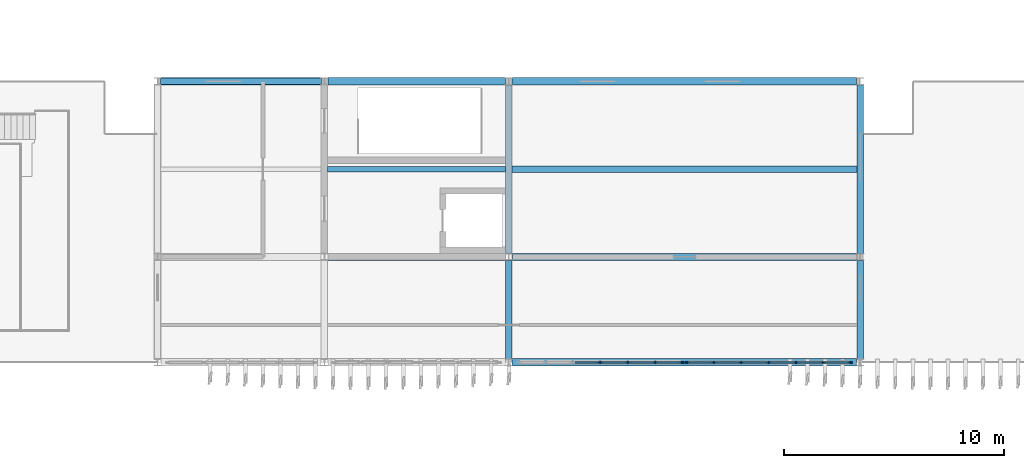
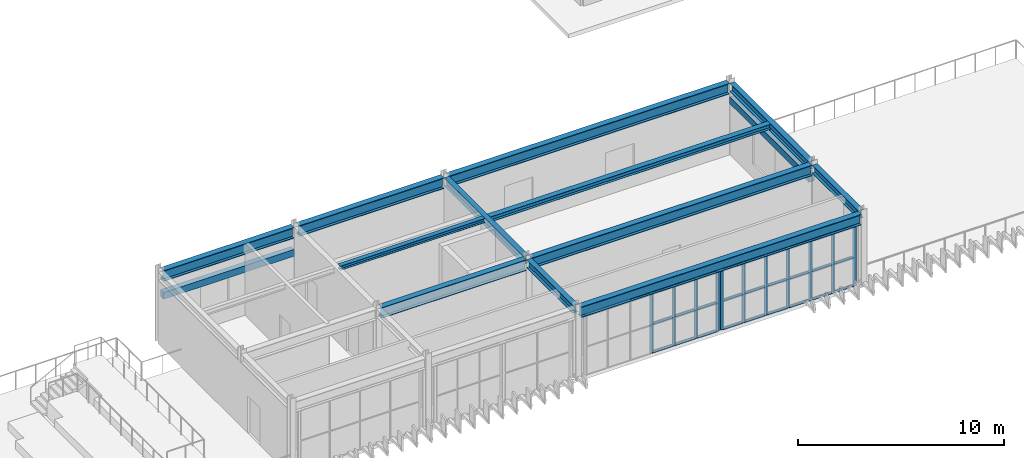
# One storey, part 16 of 45: 39 members, 14 beams, 2 elements without a shape of their own.
"""IFC4 building model written with IfcOpenShell, lengths in metres."""

from ifc_helpers import new_model, si_unit, direction, frame, origin, origin_2d, place, context, subcontext, project, spatial, rectangle, i_section, extrude, material, layer, layer_set, material_profile, profile_set, type_object, element, aggregate, save


model = new_model("IFC4")

# Units and contexts
model_context = context("Model", 3, precision=1e-05, world=origin(), true_north=direction((0.0, 1.0)))
body_context = subcontext(model_context, "Body", "Model", "MODEL_VIEW")
ifc_project = project(units=[si_unit("LENGTHUNIT", "METRE"), si_unit("AREAUNIT", "SQUARE_METRE"), si_unit("VOLUMEUNIT", "CUBIC_METRE"), si_unit("PLANEANGLEUNIT", "RADIAN"), si_unit("MASSUNIT", "GRAM", prefix="KILO")], contexts=[model_context])

# Site, building, storey
site_placement = place(None, origin())
site = spatial("IfcSite", under=ifc_project, at=site_placement, CompositionType="ELEMENT")
building_placement = place(site_placement, origin())
building = spatial("IfcBuilding", under=site, at=building_placement, Name="Cinchona Park Media Centre", CompositionType="ELEMENT")
storey_placement = place(building_placement, frame((0.0, 0.0, 20.39990234375)))
storey = spatial("IfcBuildingStorey", under=building, at=storey_placement, Name="L04", CompositionType="ELEMENT", Elevation=20.39990234375)

# Beams
ifc_material_1 = material(Name="Steel S355", Category="steel")
ifc_material_profile_1 = material_profile(ifc_material_1, i_section(OverallWidth=0.3291015625, OverallDepth=0.635009765625, WebThickness=0.017822265625, FlangeThickness=0.031005859375, at=origin_2d()), Name="W610X241")
ifc_profile_set_1 = profile_set([ifc_material_profile_1], Name="Steel S355")
beam_type_1 = type_object("IfcBeamType", Name="BEAM-B05-W610X241", PredefinedType="BEAM", material=ifc_profile_set_1)
beam_1_placement = place(storey_placement, frame((94.955078125, 74.800048828125, 3.9375), z_axis=(1.0, 0.0, 0.0), x_axis=(0.0, 1.0, 0.0)))
element("IfcBeam", 1, at=beam_1_placement, inside=storey, type_object=beam_type_1, Name="Beam B05 L04", PredefinedType="BEAM", context=body_context, shape_type="SweptSolid", body=[
    extrude(i_section(OverallWidth=0.3291015625, OverallDepth=0.635009765625, WebThickness=0.017822265625, FlangeThickness=0.031005859375, at=origin_2d()), origin(), (0.0, 0.0, 1.0), 15.68994140625),
])
beam_2_placement = place(storey_placement, frame((86.554931640625, 79.60009765625, 3.9375), z_axis=(1.0, 0.0, 0.0), x_axis=(0.0, 1.0, 0.0)))
element("IfcBeam", 2, at=beam_2_placement, inside=storey, type_object=beam_type_1, Name="Beam B05 L04", PredefinedType="BEAM", context=body_context, shape_type="SweptSolid", body=[
    extrude(i_section(OverallWidth=0.3291015625, OverallDepth=0.635009765625, WebThickness=0.017822265625, FlangeThickness=0.031005859375, at=origin_2d()), origin(), (0.0, 0.0, 1.0), 8.090087890625),
])
beam_3_placement = place(storey_placement, frame((94.955078125, 79.60009765625, 3.9375), z_axis=(1.0, 0.0, 0.0), x_axis=(0.0, 1.0, 0.0)))
element("IfcBeam", 3, at=beam_3_placement, inside=storey, type_object=beam_type_1, Name="Beam B05 L04", PredefinedType="BEAM", context=body_context, shape_type="SweptSolid", body=[
    extrude(i_section(OverallWidth=0.3291015625, OverallDepth=0.635009765625, WebThickness=0.017822265625, FlangeThickness=0.031005859375, at=origin_2d()), origin(), (0.0, 0.0, 1.0), 15.68994140625),
])
beam_4_placement = place(storey_placement, frame((78.955078125, 87.60009765625, 3.9375), z_axis=(1.0, 0.0, 0.0), x_axis=(0.0, 1.0, 0.0)))
element("IfcBeam", 4, at=beam_4_placement, inside=storey, type_object=beam_type_1, Name="Beam B05 L04", PredefinedType="BEAM", context=body_context, shape_type="SweptSolid", body=[
    extrude(i_section(OverallWidth=0.3291015625, OverallDepth=0.635009765625, WebThickness=0.017822265625, FlangeThickness=0.031005859375, at=origin_2d()), origin(), (0.0, 0.0, 1.0), 7.2900390625),
])
beam_5_placement = place(storey_placement, frame((86.554931640625, 87.60009765625, 3.9375), z_axis=(1.0, 0.0, 0.0), x_axis=(0.0, 1.0, 0.0)))
element("IfcBeam", 5, at=beam_5_placement, inside=storey, type_object=beam_type_1, Name="Beam B05 L04", PredefinedType="BEAM", context=body_context, shape_type="SweptSolid", body=[
    extrude(i_section(OverallWidth=0.3291015625, OverallDepth=0.635009765625, WebThickness=0.017822265625, FlangeThickness=0.031005859375, at=origin_2d()), origin(), (0.0, 0.0, 1.0), 8.090087890625),
])
beam_6_placement = place(storey_placement, frame((94.955078125, 87.60009765625, 3.9375), z_axis=(1.0, 0.0, 0.0), x_axis=(0.0, 1.0, 0.0)))
element("IfcBeam", 6, at=beam_6_placement, inside=storey, type_object=beam_type_1, Name="Beam B05 L04", PredefinedType="BEAM", context=body_context, shape_type="SweptSolid", body=[
    extrude(i_section(OverallWidth=0.3291015625, OverallDepth=0.635009765625, WebThickness=0.017822265625, FlangeThickness=0.031005859375, at=origin_2d()), origin(), (0.0, 0.0, 1.0), 15.68994140625),
])
ifc_material_2 = material(Name="Steel S355", Category="steel")
ifc_material_profile_2 = material_profile(ifc_material_2, i_section(OverallWidth=0.285888671875, OverallDepth=0.48193359375, WebThickness=0.0166015625, FlangeThickness=0.02685546875, at=origin_2d()), Name="W460X177")
ifc_profile_set_2 = profile_set([ifc_material_profile_2], Name="Steel S355")
beam_type_2 = type_object("IfcBeamType", Name="BEAM-B06-W460X177", PredefinedType="BEAM", material=ifc_profile_set_2)
beam_7_placement = place(storey_placement, frame((94.800048828125, 74.9599609375, 4.01416015625), z_axis=(0.0, 1.0, 0.0), x_axis=(-1.0, 0.0, 0.0)))
element("IfcBeam", 7, at=beam_7_placement, inside=storey, type_object=beam_type_2, Name="Girder B06 L04", PredefinedType="BEAM", context=body_context, shape_type="SweptSolid", body=[
    extrude(i_section(OverallWidth=0.285888671875, OverallDepth=0.48193359375, WebThickness=0.0166015625, FlangeThickness=0.02685546875, at=origin_2d()), origin(), (0.0, 0.0, 1.0), 4.47998046875),
])
beam_8_placement = place(storey_placement, frame((94.800048828125, 79.760009765625, 4.01416015625), z_axis=(0.0, 1.0, 0.0), x_axis=(-1.0, 0.0, 0.0)))
element("IfcBeam", 8, at=beam_8_placement, inside=storey, type_object=beam_type_2, Name="Girder B06 L04", PredefinedType="BEAM", context=body_context, shape_type="SweptSolid", body=[
    extrude(i_section(OverallWidth=0.285888671875, OverallDepth=0.48193359375, WebThickness=0.0166015625, FlangeThickness=0.02685546875, at=origin_2d()), origin(), (0.0, 0.0, 1.0), 7.679931640625),
])
beam_9_placement = place(storey_placement, frame((110.800048828125, 74.9599609375, 4.01416015625), z_axis=(0.0, 1.0, 0.0), x_axis=(-1.0, 0.0, 0.0)))
element("IfcBeam", 9, at=beam_9_placement, inside=storey, type_object=beam_type_2, Name="Girder B06 L04", PredefinedType="BEAM", context=body_context, shape_type="SweptSolid", body=[
    extrude(i_section(OverallWidth=0.285888671875, OverallDepth=0.48193359375, WebThickness=0.0166015625, FlangeThickness=0.02685546875, at=origin_2d()), origin(), (0.0, 0.0, 1.0), 4.47998046875),
])
beam_10_placement = place(storey_placement, frame((110.800048828125, 79.760009765625, 4.01416015625), z_axis=(0.0, 1.0, 0.0), x_axis=(-1.0, 0.0, 0.0)))
element("IfcBeam", 10, at=beam_10_placement, inside=storey, type_object=beam_type_2, Name="Girder B06 L04", PredefinedType="BEAM", context=body_context, shape_type="SweptSolid", body=[
    extrude(i_section(OverallWidth=0.285888671875, OverallDepth=0.48193359375, WebThickness=0.0166015625, FlangeThickness=0.02685546875, at=origin_2d()), origin(), (0.0, 0.0, 1.0), 7.679931640625),
])
ifc_material_3 = material(Name="Steel S355", Category="steel")
ifc_material_profile_3 = material_profile(ifc_material_3, i_section(OverallWidth=0.304931640625, OverallDepth=0.30810546875, WebThickness=0.010009765625, FlangeThickness=0.015380859375, at=origin_2d()), Name="W310X97")
ifc_profile_set_3 = profile_set([ifc_material_profile_3], Name="Steel S355")
beam_type_3 = type_object("IfcBeamType", Name="BEAM-J02-W310X97", PredefinedType="JOIST", material=ifc_profile_set_3)
beam_11_placement = place(storey_placement, frame((94.943115234375, 83.60009765625, 4.10107421875), z_axis=(1.0, 0.0, 0.0), x_axis=(0.0, 1.0, 0.0)))
element("IfcBeam", 11, at=beam_11_placement, inside=storey, type_object=beam_type_3, Name="Floor Joist J02 L04", PredefinedType="JOIST", context=body_context, shape_type="SweptSolid", body=[
    extrude(i_section(OverallWidth=0.304931640625, OverallDepth=0.30810546875, WebThickness=0.010009765625, FlangeThickness=0.015380859375, at=origin_2d()), origin(), (0.0, 0.0, 1.0), 15.7138671875),
])
ifc_material_4 = material(Name="Steel S355", Category="steel")
ifc_material_profile_4 = material_profile(ifc_material_4, i_section(OverallWidth=0.25390625, OverallDepth=0.2529296875, WebThickness=0.008544921875, FlangeThickness=0.01416015625, at=origin_2d()), Name="W250X73")
ifc_profile_set_4 = profile_set([ifc_material_profile_4], Name="Steel S355")
beam_type_4 = type_object("IfcBeamType", Name="BEAM-J04-W250X73", PredefinedType="JOIST", material=ifc_profile_set_4)
beam_12_placement = place(storey_placement, frame((86.54296875, 83.60009765625, 4.128662109375), z_axis=(1.0, 0.0, 0.0), x_axis=(0.0, 1.0, 0.0)))
element("IfcBeam", 12, at=beam_12_placement, inside=storey, type_object=beam_type_4, Name="Floor Joist J04 L04", PredefinedType="JOIST", context=body_context, shape_type="SweptSolid", body=[
    extrude(i_section(OverallWidth=0.25390625, OverallDepth=0.2529296875, WebThickness=0.008544921875, FlangeThickness=0.01416015625, at=origin_2d()), origin(), (0.0, 0.0, 1.0), 8.114013671875),
])
ifc_material_5 = material(Name="Concrete C35/45", Category="concrete")
ifc_material_profile_5 = material_profile(ifc_material_5, rectangle(XDim=0.300048828125, YDim=0.39990234375, at=origin_2d()), Name="RL 300X400")
ifc_profile_set_5 = profile_set([ifc_material_profile_5], Name="Concrete C35/45")
beam_type_5 = type_object("IfcBeamType", Name="BEAM-LN02-RL300X400", PredefinedType="LINTEL", material=ifc_profile_set_5)
beam_13_placement = place(storey_placement, frame((78.93994140625, 87.60009765625, 2.75), z_axis=(1.0, 0.0, 0.0), x_axis=(0.0, 1.0, 0.0)))
element("IfcBeam", 13, at=beam_13_placement, inside=storey, type_object=beam_type_5, Name="Window Lintel LN02", PredefinedType="LINTEL", context=body_context, shape_type="SweptSolid", body=[
    extrude(rectangle(XDim=0.300048828125, YDim=0.39990234375, at=origin_2d()), origin(), (0.0, 0.0, 1.0), 7.320068359375),
])
beam_14_placement = place(storey_placement, frame((110.800048828125, 87.4599609375, 3.25), z_axis=(0.0, -1.0, 0.0), x_axis=(1.0, 0.0, 0.0)))
element("IfcBeam", 14, at=beam_14_placement, inside=storey, type_object=beam_type_5, Name="Window Lintel LN02", PredefinedType="LINTEL", context=body_context, shape_type="SweptSolid", body=[
    extrude(rectangle(XDim=0.300048828125, YDim=0.39990234375, at=origin_2d()), origin(), (0.0, 0.0, 1.0), 7.719970703125),
])

# Curtain wall, members
ifc_material_6 = material(Name="Aluminium Curtain Wall Framing", Category="aluminium")
ifc_layer_1 = layer(ifc_material_6, 0.195068359375)
ifc_layer_set_1 = layer_set([ifc_layer_1], Name="Aluminium Curtain Wall Framing")
curtain_wall_type_1 = type_object("IfcCurtainWallType", Name="CW-CW02", PredefinedType="USERDEFINED", material=ifc_layer_set_1)
curtain_wall_1_placement = place(storey_placement, origin())
curtain_wall_1 = element("IfcCurtainWall", 15, at=curtain_wall_1_placement, inside=storey, type_object=curtain_wall_type_1, Name="Curtain Wall CW02 L04", ObjectType="UNITISED CURTAIN WALL", PredefinedType="USERDEFINED")
ifc_material_7 = material(Name="Anodised Aluminium Alloy 6063-T6", Category="aluminium")
ifc_material_profile_6 = material_profile(ifc_material_7, rectangle(XDim=0.070068359375, YDim=0.179931640625, at=origin_2d()), Name="MUL-70X180")
ifc_profile_set_6 = profile_set([ifc_material_profile_6], Name="Anodised Aluminium Alloy 6063-T6")
member_type_1 = type_object("IfcMemberType", Name="MULLION-MUL02", PredefinedType="MULLION", material=ifc_profile_set_6)
member_1_placement = place(storey_placement, frame((110.344970703125, 74.800048828125, 0.050048828125), z_axis=(0.0, 0.0, 1.0), x_axis=(0.0, -1.0, 0.0)))
member_1 = element("IfcMember", 16, at=member_1_placement, type_object=member_type_1, Name="CW02 mullion 1", PredefinedType="MULLION", context=body_context, shape_type="SweptSolid", body=[
    extrude(rectangle(XDim=0.070068359375, YDim=0.179931640625, at=origin_2d()), origin(), (0.0, 0.0, 1.0), 3.570068359375),
])
member_2_placement = place(storey_placement, frame((109.1298828125, 74.800048828125, 0.050048828125), z_axis=(0.0, 0.0, 1.0), x_axis=(0.0, -1.0, 0.0)))
member_2 = element("IfcMember", 17, at=member_2_placement, type_object=member_type_1, Name="CW02 mullion 2", PredefinedType="MULLION", context=body_context, shape_type="SweptSolid", body=[
    extrude(rectangle(XDim=0.070068359375, YDim=0.179931640625, at=origin_2d()), origin(), (0.0, 0.0, 1.0), 3.570068359375),
])
member_3_placement = place(storey_placement, frame((107.8798828125, 74.800048828125, 0.050048828125), z_axis=(0.0, 0.0, 1.0), x_axis=(0.0, -1.0, 0.0)))
member_3 = element("IfcMember", 18, at=member_3_placement, type_object=member_type_1, Name="CW02 mullion 3", PredefinedType="MULLION", context=body_context, shape_type="SweptSolid", body=[
    extrude(rectangle(XDim=0.070068359375, YDim=0.179931640625, at=origin_2d()), origin(), (0.0, 0.0, 1.0), 3.570068359375),
])
member_4_placement = place(storey_placement, frame((106.6298828125, 74.800048828125, 0.050048828125), z_axis=(0.0, 0.0, 1.0), x_axis=(0.0, -1.0, 0.0)))
member_4 = element("IfcMember", 19, at=member_4_placement, type_object=member_type_1, Name="CW02 mullion 4", PredefinedType="MULLION", context=body_context, shape_type="SweptSolid", body=[
    extrude(rectangle(XDim=0.070068359375, YDim=0.179931640625, at=origin_2d()), origin(), (0.0, 0.0, 1.0), 3.570068359375),
])
member_5_placement = place(storey_placement, frame((105.3798828125, 74.800048828125, 0.050048828125), z_axis=(0.0, 0.0, 1.0), x_axis=(0.0, -1.0, 0.0)))
member_5 = element("IfcMember", 20, at=member_5_placement, type_object=member_type_1, Name="CW02 mullion 5", PredefinedType="MULLION", context=body_context, shape_type="SweptSolid", body=[
    extrude(rectangle(XDim=0.070068359375, YDim=0.179931640625, at=origin_2d()), origin(), (0.0, 0.0, 1.0), 3.570068359375),
])
member_6_placement = place(storey_placement, frame((104.1298828125, 74.800048828125, 0.050048828125), z_axis=(0.0, 0.0, 1.0), x_axis=(0.0, -1.0, 0.0)))
member_6 = element("IfcMember", 21, at=member_6_placement, type_object=member_type_1, Name="CW02 mullion 6", PredefinedType="MULLION", context=body_context, shape_type="SweptSolid", body=[
    extrude(rectangle(XDim=0.070068359375, YDim=0.179931640625, at=origin_2d()), origin(), (0.0, 0.0, 1.0), 3.570068359375),
])
member_7_placement = place(storey_placement, frame((102.9150390625, 74.800048828125, 0.050048828125), z_axis=(0.0, 0.0, 1.0), x_axis=(0.0, -1.0, 0.0)))
member_7 = element("IfcMember", 22, at=member_7_placement, type_object=member_type_1, Name="CW02 mullion 7", PredefinedType="MULLION", context=body_context, shape_type="SweptSolid", body=[
    extrude(rectangle(XDim=0.070068359375, YDim=0.179931640625, at=origin_2d()), origin(), (0.0, 0.0, 1.0), 3.570068359375),
])

ifc_material_8 = material(Name="Aluminium Curtain Wall Framing", Category="aluminium")
ifc_layer_2 = layer(ifc_material_8, 0.2099609375)
ifc_layer_set_2 = layer_set([ifc_layer_2], Name="Aluminium Curtain Wall Framing")
curtain_wall_type_2 = type_object("IfcCurtainWallType", Name="CW-CW03", PredefinedType="USERDEFINED", material=ifc_layer_set_2)
curtain_wall_2_placement = place(storey_placement, origin())
curtain_wall_2 = element("IfcCurtainWall", 23, at=curtain_wall_2_placement, inside=storey, type_object=curtain_wall_type_2, Name="Curtain Wall CW03 L04", ObjectType="UNITISED CURTAIN WALL", PredefinedType="USERDEFINED")
member_8_placement = place(storey_placement, frame((102.68505859375, 74.800048828125, 0.050048828125), z_axis=(0.0, 0.0, 1.0), x_axis=(0.0, -1.0, 0.0)))
member_8 = element("IfcMember", 24, at=member_8_placement, type_object=member_type_1, Name="CW03 mullion 1", PredefinedType="MULLION", context=body_context, shape_type="SweptSolid", body=[
    extrude(rectangle(XDim=0.070068359375, YDim=0.179931640625, at=origin_2d()), origin(), (0.0, 0.0, 1.0), 3.570068359375),
])
member_9_placement = place(storey_placement, frame((101.469970703125, 74.800048828125, 0.050048828125), z_axis=(0.0, 0.0, 1.0), x_axis=(0.0, -1.0, 0.0)))
member_9 = element("IfcMember", 25, at=member_9_placement, type_object=member_type_1, Name="CW03 mullion 2", PredefinedType="MULLION", context=body_context, shape_type="SweptSolid", body=[
    extrude(rectangle(XDim=0.070068359375, YDim=0.179931640625, at=origin_2d()), origin(), (0.0, 0.0, 1.0), 3.570068359375),
])
member_10_placement = place(storey_placement, frame((100.219970703125, 74.800048828125, 0.050048828125), z_axis=(0.0, 0.0, 1.0), x_axis=(0.0, -1.0, 0.0)))
member_10 = element("IfcMember", 26, at=member_10_placement, type_object=member_type_1, Name="CW03 mullion 3", PredefinedType="MULLION", context=body_context, shape_type="SweptSolid", body=[
    extrude(rectangle(XDim=0.070068359375, YDim=0.179931640625, at=origin_2d()), origin(), (0.0, 0.0, 1.0), 3.570068359375),
])
member_11_placement = place(storey_placement, frame((98.969970703125, 74.800048828125, 0.050048828125), z_axis=(0.0, 0.0, 1.0), x_axis=(0.0, -1.0, 0.0)))
member_11 = element("IfcMember", 27, at=member_11_placement, type_object=member_type_1, Name="CW03 mullion 4", PredefinedType="MULLION", context=body_context, shape_type="SweptSolid", body=[
    extrude(rectangle(XDim=0.070068359375, YDim=0.179931640625, at=origin_2d()), origin(), (0.0, 0.0, 1.0), 3.570068359375),
])

# Member
ifc_material_9 = material(Name="Anodised Aluminium Alloy 6063-T6", Category="aluminium")
ifc_material_profile_7 = material_profile(ifc_material_9, rectangle(XDim=0.070068359375, YDim=0.139892578125, at=origin_2d()), Name="TRN-70X140")
ifc_profile_set_7 = profile_set([ifc_material_profile_7], Name="Anodised Aluminium Alloy 6063-T6")
member_type_2 = type_object("IfcMemberType", Name="TRANSOM-TRN02", PredefinedType="USERDEFINED", material=ifc_profile_set_7)
member_12_placement = place(storey_placement, frame((110.31005859375, 74.800048828125, 0.085205078125), z_axis=(-1.0, 0.0, 0.0), x_axis=(0.0, -1.0, 0.0)))
member_12 = element("IfcMember", 28, at=member_12_placement, type_object=member_type_2, Name="CW02 transom 1.1", ObjectType="TRANSOM", PredefinedType="USERDEFINED", context=body_context, shape_type="SweptSolid", body=[
    extrude(rectangle(XDim=0.070068359375, YDim=0.139892578125, at=origin_2d()), origin(), (0.0, 0.0, 1.0), 1.14501953125),
])

member_13_placement = place(storey_placement, frame((110.31005859375, 74.800048828125, 1.76416015625), z_axis=(-1.0, 0.0, 0.0), x_axis=(0.0, -1.0, 0.0)))
member_13 = element("IfcMember", 29, at=member_13_placement, type_object=member_type_2, Name="CW02 transom 1.2", ObjectType="TRANSOM", PredefinedType="USERDEFINED", context=body_context, shape_type="SweptSolid", body=[
    extrude(rectangle(XDim=0.070068359375, YDim=0.139892578125, at=origin_2d()), origin(), (0.0, 0.0, 1.0), 1.14501953125),
])

member_14_placement = place(storey_placement, frame((110.31005859375, 74.800048828125, 3.585205078125), z_axis=(-1.0, 0.0, 0.0), x_axis=(0.0, -1.0, 0.0)))
member_14 = element("IfcMember", 30, at=member_14_placement, type_object=member_type_2, Name="CW02 transom 1.3", ObjectType="TRANSOM", PredefinedType="USERDEFINED", context=body_context, shape_type="SweptSolid", body=[
    extrude(rectangle(XDim=0.070068359375, YDim=0.139892578125, at=origin_2d()), origin(), (0.0, 0.0, 1.0), 1.14501953125),
])

member_15_placement = place(storey_placement, frame((109.094970703125, 74.800048828125, 0.085205078125), z_axis=(-1.0, 0.0, 0.0), x_axis=(0.0, -1.0, 0.0)))
member_15 = element("IfcMember", 31, at=member_15_placement, type_object=member_type_2, Name="CW02 transom 2.1", ObjectType="TRANSOM", PredefinedType="USERDEFINED", context=body_context, shape_type="SweptSolid", body=[
    extrude(rectangle(XDim=0.070068359375, YDim=0.139892578125, at=origin_2d()), origin(), (0.0, 0.0, 1.0), 1.179931640625),
])

member_16_placement = place(storey_placement, frame((109.094970703125, 74.800048828125, 1.76416015625), z_axis=(-1.0, 0.0, 0.0), x_axis=(0.0, -1.0, 0.0)))
member_16 = element("IfcMember", 32, at=member_16_placement, type_object=member_type_2, Name="CW02 transom 2.2", ObjectType="TRANSOM", PredefinedType="USERDEFINED", context=body_context, shape_type="SweptSolid", body=[
    extrude(rectangle(XDim=0.070068359375, YDim=0.139892578125, at=origin_2d()), origin(), (0.0, 0.0, 1.0), 1.179931640625),
])

member_17_placement = place(storey_placement, frame((109.094970703125, 74.800048828125, 3.585205078125), z_axis=(-1.0, 0.0, 0.0), x_axis=(0.0, -1.0, 0.0)))
member_17 = element("IfcMember", 33, at=member_17_placement, type_object=member_type_2, Name="CW02 transom 2.3", ObjectType="TRANSOM", PredefinedType="USERDEFINED", context=body_context, shape_type="SweptSolid", body=[
    extrude(rectangle(XDim=0.070068359375, YDim=0.139892578125, at=origin_2d()), origin(), (0.0, 0.0, 1.0), 1.179931640625),
])

member_18_placement = place(storey_placement, frame((107.844970703125, 74.800048828125, 0.085205078125), z_axis=(-1.0, 0.0, 0.0), x_axis=(0.0, -1.0, 0.0)))
member_18 = element("IfcMember", 34, at=member_18_placement, type_object=member_type_2, Name="CW02 transom 3.1", ObjectType="TRANSOM", PredefinedType="USERDEFINED", context=body_context, shape_type="SweptSolid", body=[
    extrude(rectangle(XDim=0.070068359375, YDim=0.139892578125, at=origin_2d()), origin(), (0.0, 0.0, 1.0), 1.179931640625),
])

member_19_placement = place(storey_placement, frame((107.844970703125, 74.800048828125, 1.76416015625), z_axis=(-1.0, 0.0, 0.0), x_axis=(0.0, -1.0, 0.0)))
member_19 = element("IfcMember", 35, at=member_19_placement, type_object=member_type_2, Name="CW02 transom 3.2", ObjectType="TRANSOM", PredefinedType="USERDEFINED", context=body_context, shape_type="SweptSolid", body=[
    extrude(rectangle(XDim=0.070068359375, YDim=0.139892578125, at=origin_2d()), origin(), (0.0, 0.0, 1.0), 1.179931640625),
])

member_20_placement = place(storey_placement, frame((107.844970703125, 74.800048828125, 3.585205078125), z_axis=(-1.0, 0.0, 0.0), x_axis=(0.0, -1.0, 0.0)))
member_20 = element("IfcMember", 36, at=member_20_placement, type_object=member_type_2, Name="CW02 transom 3.3", ObjectType="TRANSOM", PredefinedType="USERDEFINED", context=body_context, shape_type="SweptSolid", body=[
    extrude(rectangle(XDim=0.070068359375, YDim=0.139892578125, at=origin_2d()), origin(), (0.0, 0.0, 1.0), 1.179931640625),
])

member_21_placement = place(storey_placement, frame((106.594970703125, 74.800048828125, 0.085205078125), z_axis=(-1.0, 0.0, 0.0), x_axis=(0.0, -1.0, 0.0)))
member_21 = element("IfcMember", 37, at=member_21_placement, type_object=member_type_2, Name="CW02 transom 4.1", ObjectType="TRANSOM", PredefinedType="USERDEFINED", context=body_context, shape_type="SweptSolid", body=[
    extrude(rectangle(XDim=0.070068359375, YDim=0.139892578125, at=origin_2d()), origin(), (0.0, 0.0, 1.0), 1.179931640625),
])

member_22_placement = place(storey_placement, frame((106.594970703125, 74.800048828125, 1.76416015625), z_axis=(-1.0, 0.0, 0.0), x_axis=(0.0, -1.0, 0.0)))
member_22 = element("IfcMember", 38, at=member_22_placement, type_object=member_type_2, Name="CW02 transom 4.2", ObjectType="TRANSOM", PredefinedType="USERDEFINED", context=body_context, shape_type="SweptSolid", body=[
    extrude(rectangle(XDim=0.070068359375, YDim=0.139892578125, at=origin_2d()), origin(), (0.0, 0.0, 1.0), 1.179931640625),
])

member_23_placement = place(storey_placement, frame((106.594970703125, 74.800048828125, 3.585205078125), z_axis=(-1.0, 0.0, 0.0), x_axis=(0.0, -1.0, 0.0)))
member_23 = element("IfcMember", 39, at=member_23_placement, type_object=member_type_2, Name="CW02 transom 4.3", ObjectType="TRANSOM", PredefinedType="USERDEFINED", context=body_context, shape_type="SweptSolid", body=[
    extrude(rectangle(XDim=0.070068359375, YDim=0.139892578125, at=origin_2d()), origin(), (0.0, 0.0, 1.0), 1.179931640625),
])

member_24_placement = place(storey_placement, frame((105.344970703125, 74.800048828125, 0.085205078125), z_axis=(-1.0, 0.0, 0.0), x_axis=(0.0, -1.0, 0.0)))
member_24 = element("IfcMember", 40, at=member_24_placement, type_object=member_type_2, Name="CW02 transom 5.1", ObjectType="TRANSOM", PredefinedType="USERDEFINED", context=body_context, shape_type="SweptSolid", body=[
    extrude(rectangle(XDim=0.070068359375, YDim=0.139892578125, at=origin_2d()), origin(), (0.0, 0.0, 1.0), 1.179931640625),
])

member_25_placement = place(storey_placement, frame((105.344970703125, 74.800048828125, 1.76416015625), z_axis=(-1.0, 0.0, 0.0), x_axis=(0.0, -1.0, 0.0)))
member_25 = element("IfcMember", 41, at=member_25_placement, type_object=member_type_2, Name="CW02 transom 5.2", ObjectType="TRANSOM", PredefinedType="USERDEFINED", context=body_context, shape_type="SweptSolid", body=[
    extrude(rectangle(XDim=0.070068359375, YDim=0.139892578125, at=origin_2d()), origin(), (0.0, 0.0, 1.0), 1.179931640625),
])

member_26_placement = place(storey_placement, frame((105.344970703125, 74.800048828125, 3.585205078125), z_axis=(-1.0, 0.0, 0.0), x_axis=(0.0, -1.0, 0.0)))
member_26 = element("IfcMember", 42, at=member_26_placement, type_object=member_type_2, Name="CW02 transom 5.3", ObjectType="TRANSOM", PredefinedType="USERDEFINED", context=body_context, shape_type="SweptSolid", body=[
    extrude(rectangle(XDim=0.070068359375, YDim=0.139892578125, at=origin_2d()), origin(), (0.0, 0.0, 1.0), 1.179931640625),
])

member_27_placement = place(storey_placement, frame((104.094970703125, 74.800048828125, 0.085205078125), z_axis=(-1.0, 0.0, 0.0), x_axis=(0.0, -1.0, 0.0)))
member_27 = element("IfcMember", 43, at=member_27_placement, type_object=member_type_2, Name="CW02 transom 6.1", ObjectType="TRANSOM", PredefinedType="USERDEFINED", context=body_context, shape_type="SweptSolid", body=[
    extrude(rectangle(XDim=0.070068359375, YDim=0.139892578125, at=origin_2d()), origin(), (0.0, 0.0, 1.0), 1.14501953125),
])

member_28_placement = place(storey_placement, frame((104.094970703125, 74.800048828125, 1.76416015625), z_axis=(-1.0, 0.0, 0.0), x_axis=(0.0, -1.0, 0.0)))
member_28 = element("IfcMember", 44, at=member_28_placement, type_object=member_type_2, Name="CW02 transom 6.2", ObjectType="TRANSOM", PredefinedType="USERDEFINED", context=body_context, shape_type="SweptSolid", body=[
    extrude(rectangle(XDim=0.070068359375, YDim=0.139892578125, at=origin_2d()), origin(), (0.0, 0.0, 1.0), 1.14501953125),
])

member_29_placement = place(storey_placement, frame((104.094970703125, 74.800048828125, 3.585205078125), z_axis=(-1.0, 0.0, 0.0), x_axis=(0.0, -1.0, 0.0)))
member_29 = element("IfcMember", 45, at=member_29_placement, type_object=member_type_2, Name="CW02 transom 6.3", ObjectType="TRANSOM", PredefinedType="USERDEFINED", context=body_context, shape_type="SweptSolid", body=[
    extrude(rectangle(XDim=0.070068359375, YDim=0.139892578125, at=origin_2d()), origin(), (0.0, 0.0, 1.0), 1.14501953125),
])

aggregate(curtain_wall_1, [member_1, member_2, member_3, member_4, member_5, member_6, member_7, member_12, member_13, member_14, member_15, member_16, member_17, member_18, member_19, member_20, member_21, member_22, member_23, member_24, member_25, member_26, member_27, member_28, member_29])

member_30_placement = place(storey_placement, frame((102.64990234375, 74.800048828125, 0.085205078125), z_axis=(-1.0, 0.0, 0.0), x_axis=(0.0, -1.0, 0.0)))
member_30 = element("IfcMember", 46, at=member_30_placement, type_object=member_type_2, Name="CW03 transom 1.1", ObjectType="TRANSOM", PredefinedType="USERDEFINED", context=body_context, shape_type="SweptSolid", body=[
    extrude(rectangle(XDim=0.070068359375, YDim=0.139892578125, at=origin_2d()), origin(), (0.0, 0.0, 1.0), 1.14501953125),
])

member_31_placement = place(storey_placement, frame((102.64990234375, 74.800048828125, 1.76416015625), z_axis=(-1.0, 0.0, 0.0), x_axis=(0.0, -1.0, 0.0)))
member_31 = element("IfcMember", 47, at=member_31_placement, type_object=member_type_2, Name="CW03 transom 1.2", ObjectType="TRANSOM", PredefinedType="USERDEFINED", context=body_context, shape_type="SweptSolid", body=[
    extrude(rectangle(XDim=0.070068359375, YDim=0.139892578125, at=origin_2d()), origin(), (0.0, 0.0, 1.0), 1.14501953125),
])

member_32_placement = place(storey_placement, frame((102.64990234375, 74.800048828125, 3.585205078125), z_axis=(-1.0, 0.0, 0.0), x_axis=(0.0, -1.0, 0.0)))
member_32 = element("IfcMember", 48, at=member_32_placement, type_object=member_type_2, Name="CW03 transom 1.3", ObjectType="TRANSOM", PredefinedType="USERDEFINED", context=body_context, shape_type="SweptSolid", body=[
    extrude(rectangle(XDim=0.070068359375, YDim=0.139892578125, at=origin_2d()), origin(), (0.0, 0.0, 1.0), 1.14501953125),
])

member_33_placement = place(storey_placement, frame((101.43505859375, 74.800048828125, 0.085205078125), z_axis=(-1.0, 0.0, 0.0), x_axis=(0.0, -1.0, 0.0)))
member_33 = element("IfcMember", 49, at=member_33_placement, type_object=member_type_2, Name="CW03 transom 2.1", ObjectType="TRANSOM", PredefinedType="USERDEFINED", context=body_context, shape_type="SweptSolid", body=[
    extrude(rectangle(XDim=0.070068359375, YDim=0.139892578125, at=origin_2d()), origin(), (0.0, 0.0, 1.0), 1.18017578125),
])

member_34_placement = place(storey_placement, frame((101.43505859375, 74.800048828125, 1.76416015625), z_axis=(-1.0, 0.0, 0.0), x_axis=(0.0, -1.0, 0.0)))
member_34 = element("IfcMember", 50, at=member_34_placement, type_object=member_type_2, Name="CW03 transom 2.2", ObjectType="TRANSOM", PredefinedType="USERDEFINED", context=body_context, shape_type="SweptSolid", body=[
    extrude(rectangle(XDim=0.070068359375, YDim=0.139892578125, at=origin_2d()), origin(), (0.0, 0.0, 1.0), 1.18017578125),
])

member_35_placement = place(storey_placement, frame((101.43505859375, 74.800048828125, 3.585205078125), z_axis=(-1.0, 0.0, 0.0), x_axis=(0.0, -1.0, 0.0)))
member_35 = element("IfcMember", 51, at=member_35_placement, type_object=member_type_2, Name="CW03 transom 2.3", ObjectType="TRANSOM", PredefinedType="USERDEFINED", context=body_context, shape_type="SweptSolid", body=[
    extrude(rectangle(XDim=0.070068359375, YDim=0.139892578125, at=origin_2d()), origin(), (0.0, 0.0, 1.0), 1.18017578125),
])

member_36_placement = place(storey_placement, frame((100.18505859375, 74.800048828125, 0.085205078125), z_axis=(-1.0, 0.0, 0.0), x_axis=(0.0, -1.0, 0.0)))
member_36 = element("IfcMember", 52, at=member_36_placement, type_object=member_type_2, Name="CW03 transom 3.1", ObjectType="TRANSOM", PredefinedType="USERDEFINED", context=body_context, shape_type="SweptSolid", body=[
    extrude(rectangle(XDim=0.070068359375, YDim=0.139892578125, at=origin_2d()), origin(), (0.0, 0.0, 1.0), 1.18017578125),
])

member_37_placement = place(storey_placement, frame((100.18505859375, 74.800048828125, 1.76416015625), z_axis=(-1.0, 0.0, 0.0), x_axis=(0.0, -1.0, 0.0)))
member_37 = element("IfcMember", 53, at=member_37_placement, type_object=member_type_2, Name="CW03 transom 3.2", ObjectType="TRANSOM", PredefinedType="USERDEFINED", context=body_context, shape_type="SweptSolid", body=[
    extrude(rectangle(XDim=0.070068359375, YDim=0.139892578125, at=origin_2d()), origin(), (0.0, 0.0, 1.0), 1.18017578125),
])

member_38_placement = place(storey_placement, frame((100.18505859375, 74.800048828125, 3.585205078125), z_axis=(-1.0, 0.0, 0.0), x_axis=(0.0, -1.0, 0.0)))
member_38 = element("IfcMember", 54, at=member_38_placement, type_object=member_type_2, Name="CW03 transom 3.3", ObjectType="TRANSOM", PredefinedType="USERDEFINED", context=body_context, shape_type="SweptSolid", body=[
    extrude(rectangle(XDim=0.070068359375, YDim=0.139892578125, at=origin_2d()), origin(), (0.0, 0.0, 1.0), 1.18017578125),
])

member_39_placement = place(storey_placement, frame((98.93505859375, 74.800048828125, 3.585205078125), z_axis=(-1.0, 0.0, 0.0), x_axis=(0.0, -1.0, 0.0)))
member_39 = element("IfcMember", 55, at=member_39_placement, type_object=member_type_2, Name="CW03 transom 4.3", ObjectType="TRANSOM", PredefinedType="USERDEFINED", context=body_context, shape_type="SweptSolid", body=[
    extrude(rectangle(XDim=0.070068359375, YDim=0.139892578125, at=origin_2d()), origin(), (0.0, 0.0, 1.0), 1.18017578125),
])

aggregate(curtain_wall_2, [member_8, member_9, member_10, member_11, member_30, member_31, member_32, member_33, member_34, member_35, member_36, member_37, member_38, member_39])

save(model, "model.ifc")
